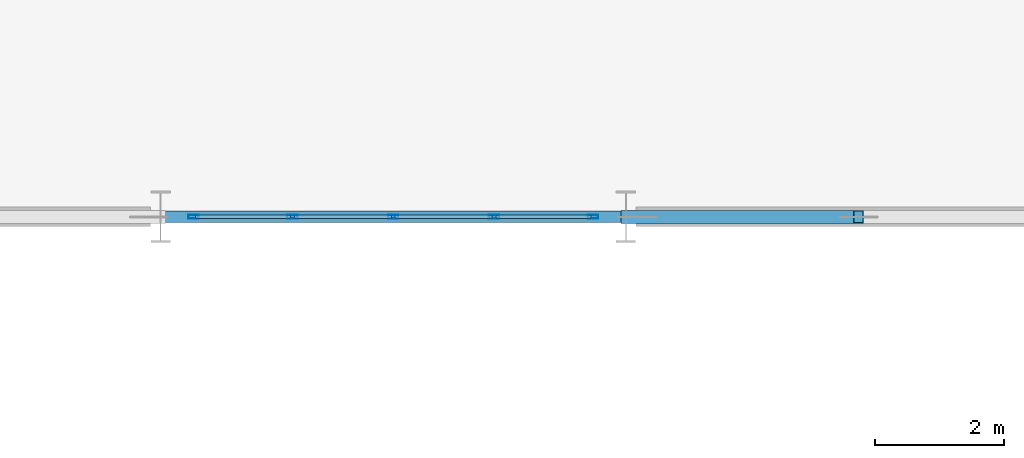
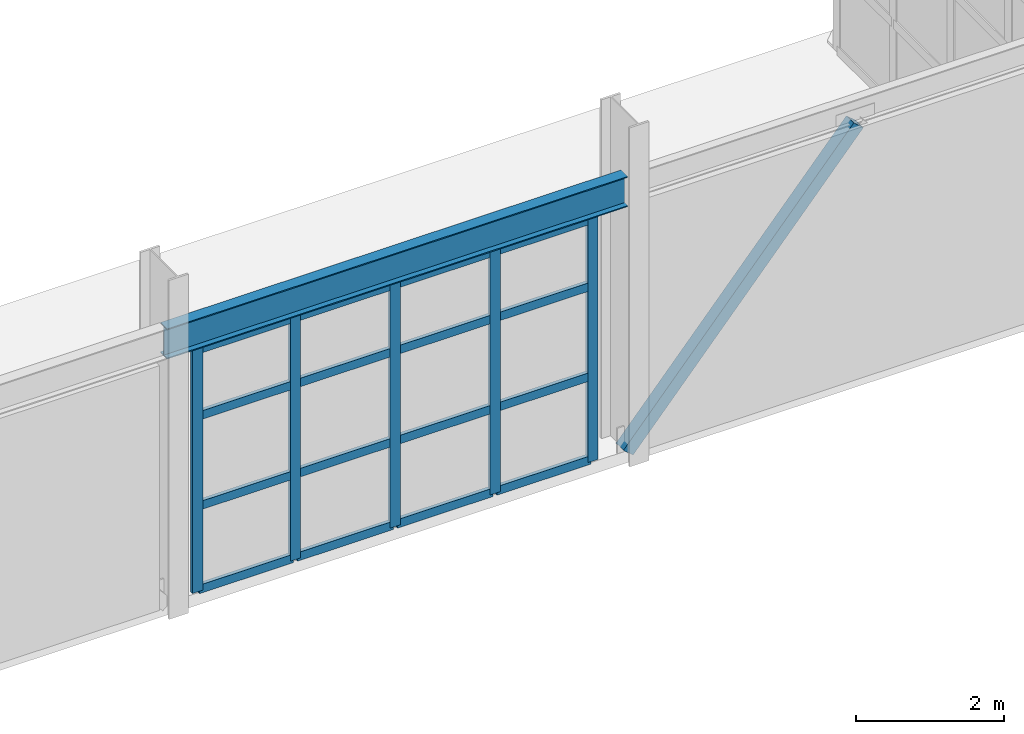
# One storey, part 54 of 126: 22 members, 1 beam, 1 element without a shape of its own.
"""IFC4 building model written with IfcOpenShell, lengths in metres."""

import ifcopenshell
import ifcopenshell.guid

model = None  # the IFC model being written
_history = None  # IfcOwnerHistory: only IFC2X3 demands one
_inside = {}  # id of a spatial element -> (the spatial element, [elements in it])
_under = {}  # id of a project, library or spatial element -> (it, [spatial elements below it])
_declared = {}  # id of a project -> (the project, [libraries it declares])
_typed = {}  # id of a type object -> (the type object, [elements of that type])
_made_of = {}  # id of a material, layer set ... -> (it, [elements and type objects made of it])


def new_model(schema):
    """Start an empty IFC model of exactly this schema.

    Asked for "IFC4X3", IfcOpenShell would pick the latest addendum, in which some entities
    have other attributes; the version numbers below select the first issue.
    IFC2X3 requires an IfcOwnerHistory on every rooted entity: one is made here for all.
    """
    global model, _history
    if schema == "IFC4X3":
        model = ifcopenshell.file(schema_version=(4, 3, 0, 0))
    else:
        model = ifcopenshell.file(schema=schema)
    _inside.clear()
    _under.clear()
    _declared.clear()
    _typed.clear()
    _made_of.clear()
    _history = None
    if model.schema == "IFC2X3":
        org = make("IfcOrganization", Name="unknown")
        user = make(
            "IfcPersonAndOrganization",
            ThePerson=make("IfcPerson", FamilyName="unknown"),
            TheOrganization=org,
        )
        app = make(
            "IfcApplication",
            ApplicationDeveloper=org,
            Version="unknown",
            ApplicationFullName="unknown",
            ApplicationIdentifier="unknown",
        )
        _history = make(
            "IfcOwnerHistory",
            OwningUser=user,
            OwningApplication=app,
            ChangeAction="ADDED",
            CreationDate=0,
        )
    return model


def make(cls, **values):
    """One entity of the class cls with the attributes given. An attribute that is None is left unset."""
    return model.create_entity(
        cls, **{name: value for name, value in values.items() if value is not None}
    )


def rooted(cls, **values):
    """An entity with a GlobalId (a new one), such as an element, a storey or a relation."""
    return make(cls, GlobalId=ifcopenshell.guid.new(), OwnerHistory=_history, **values)


def si_unit(unit_type, name, prefix=None):
    """IfcSIUnit, for example si_unit("LENGTHUNIT", "METRE", prefix="MILLI")."""
    return make("IfcSIUnit", UnitType=unit_type, Prefix=prefix, Name=name)


def assignment(units):
    """IfcUnitAssignment: the units of a project."""
    return None if units is None else make("IfcUnitAssignment", Units=units)


def point(xyz):
    """IfcCartesianPoint."""
    return None if xyz is None else make("IfcCartesianPoint", Coordinates=xyz)


def direction(xyz):
    """IfcDirection."""
    return None if xyz is None else make("IfcDirection", DirectionRatios=xyz)


def frame(location, z_axis=None, x_axis=None):
    """IfcAxis2Placement3D, a coordinate frame: its origin and axes. An axis left out is left unset."""
    return make(
        "IfcAxis2Placement3D",
        Location=point(location),
        Axis=direction(z_axis),
        RefDirection=direction(x_axis),
    )


def frame_2d(location, x_axis=None):
    """IfcAxis2Placement2D, a coordinate frame in the plane: its origin and x axis."""
    return make(
        "IfcAxis2Placement2D", Location=point(location), RefDirection=direction(x_axis)
    )


def origin():
    """The frame at (0, 0, 0) with its axes left unset."""
    return frame((0.0, 0.0, 0.0))


def origin_2d():
    """The frame at (0, 0) in the plane with its x axis left unset."""
    return frame_2d((0.0, 0.0))


def place(relative_to, where):
    """IfcLocalPlacement: puts the frame where relative to a parent placement (None: the world)."""
    return make(
        "IfcLocalPlacement", PlacementRelTo=relative_to, RelativePlacement=where
    )


def context(
    kind, dimensions, precision=None, world=None, true_north=None, identifier=None
):
    """IfcGeometricRepresentationContext, for example the 3D "Model" context."""
    return make(
        "IfcGeometricRepresentationContext",
        ContextIdentifier=identifier,
        ContextType=kind,
        CoordinateSpaceDimension=dimensions,
        Precision=precision,
        WorldCoordinateSystem=world,
        TrueNorth=true_north,
    )


def subcontext(parent, identifier, kind, view, scale=None):
    """IfcGeometricRepresentationSubContext, for example "Body" below "Model"."""
    return make(
        "IfcGeometricRepresentationSubContext",
        ContextIdentifier=identifier,
        ContextType=kind,
        ParentContext=parent,
        TargetScale=scale,
        TargetView=view,
    )


def project(units=None, contexts=None):
    """IfcProject with its units and contexts."""
    return rooted(
        "IfcProject",
        Name="project",
        RepresentationContexts=contexts,
        UnitsInContext=assignment(units),
    )


def spatial(cls, under=None, at=None, **own):
    """A site, building, storey or space (cls), placed at a placement, below another one or the project."""
    s = rooted(cls, ObjectPlacement=at, **own)
    if under is not None:
        _under.setdefault(under.id(), (under, []))[1].append(s)
    return s


def profile(cls, at=None, kind="AREA", **sizes):
    """A parametric profile (cls). Its sizes go by their IFC names, for example OverallWidth=200.0."""
    return make(cls, ProfileType=kind, Position=at, **sizes)


def hollow_rectangle(**sizes):
    """IfcRectangleHollowProfileDef."""
    return profile("IfcRectangleHollowProfileDef", **sizes)


def i_section(**sizes):
    """IfcIShapeProfileDef."""
    return profile("IfcIShapeProfileDef", **sizes)


def extrude(swept, where, along, depth):
    """IfcExtrudedAreaSolid: the profile swept, set in the frame where, extruded along a direction by depth."""
    return make(
        "IfcExtrudedAreaSolid",
        SweptArea=swept,
        Position=where,
        ExtrudedDirection=direction(along),
        Depth=depth,
    )


def shape(context_of_items, identifier, shape_type, items):
    """IfcShapeRepresentation: the items that make up one representation, for example the "Body"."""
    return make(
        "IfcShapeRepresentation",
        ContextOfItems=context_of_items,
        RepresentationIdentifier=identifier,
        RepresentationType=shape_type,
        Items=items,
    )


def material(Name=None, Category=None):
    """IfcMaterial."""
    return make("IfcMaterial", Name=Name, Category=Category)


def layer(
    of_material, thickness, ventilated=None, Name=None, Category=None, Priority=None
):
    """IfcMaterialLayer: one layer of a wall or slab, of a material (None: an air gap)."""
    return make(
        "IfcMaterialLayer",
        Material=of_material,
        LayerThickness=thickness,
        IsVentilated=ventilated,
        Name=Name,
        Category=Category,
        Priority=Priority,
    )


def layer_set(layers, Name=None):
    """IfcMaterialLayerSet."""
    return make("IfcMaterialLayerSet", MaterialLayers=layers, LayerSetName=Name)


def material_profile(
    of_material, cross_section, Name=None, Category=None, Priority=None
):
    """IfcMaterialProfile: a cross section and its material."""
    return make(
        "IfcMaterialProfile",
        Name=Name,
        Material=of_material,
        Profile=cross_section,
        Priority=Priority,
        Category=Category,
    )


def profile_set(profiles, Name=None, composite=None):
    """IfcMaterialProfileSet."""
    return make(
        "IfcMaterialProfileSet",
        Name=Name,
        MaterialProfiles=profiles,
        CompositeProfile=composite,
    )


def made_of(thing, what):
    """Note that an element or type object is made of a material, layer set ...; save() writes the relation."""
    if what is not None:
        _made_of.setdefault(what.id(), (what, []))[1].append(thing)
    return thing


def type_object(cls, material=None, **own):
    """A type object (cls), such as IfcWallType, which elements share."""
    return made_of(rooted(cls, **own), material)


def element(
    cls,
    number,
    at=None,
    inside=None,
    cuts=None,
    type_object=None,
    material=None,
    context=None,
    identifier="Body",
    shape_type=None,
    held_by="IfcProductDefinitionShape",
    body=None,
    shapes=None,
    **own,
):
    """One element of the class cls, such as IfcWall. Its Tag is "e" and its number.

    at: its placement. inside: the storey or other place that contains it. cuts: it is an
    opening in that element (IfcRelVoidsElement). A single representation is given by context,
    identifier, shape_type and body (its items); several are given by shapes. held_by: the class
    of the entity that holds the representations. save() writes the other relations.
    """
    e = rooted(cls, Tag="e%d" % number, ObjectPlacement=at, **own)
    if body is not None:
        shapes = [shape(context, identifier, shape_type, body)]
    if shapes is not None:
        e.Representation = make(held_by, Representations=shapes)
    if inside is not None:
        _inside.setdefault(inside.id(), (inside, []))[1].append(e)
    if cuts is not None:
        rooted(
            "IfcRelVoidsElement", RelatingBuildingElement=cuts, RelatedOpeningElement=e
        )
    if type_object is not None:
        _typed.setdefault(type_object.id(), (type_object, []))[1].append(e)
    return made_of(e, material)


def aggregate(whole, parts):
    """IfcRelAggregates: a whole, such as a stair, and the parts it consists of."""
    return rooted("IfcRelAggregates", RelatingObject=whole, RelatedObjects=parts)


def save(model, path):
    """Write the relations noted so far, then the file.

    IfcRelAggregates (storeys below a building ...), IfcRelContainedInSpatialStructure (elements
    in a storey), IfcRelDefinesByType, IfcRelAssociatesMaterial and IfcRelDeclares: one each for
    every whole, place, type object, material and project.
    """
    for whole, parts in _under.values():
        aggregate(whole, parts)
    for where, things in _inside.values():
        rooted(
            "IfcRelContainedInSpatialStructure",
            RelatedElements=things,
            RelatingStructure=where,
        )
    for kind, things in _typed.values():
        rooted("IfcRelDefinesByType", RelatedObjects=things, RelatingType=kind)
    for what, things in _made_of.values():
        rooted("IfcRelAssociatesMaterial", RelatedObjects=things, RelatingMaterial=what)
    for by, libraries in _declared.values():
        rooted("IfcRelDeclares", RelatingContext=by, RelatedDefinitions=libraries)
    model.write(path)


model = new_model("IFC4")

# Units and contexts
model_context = context("Model", 3, precision=1e-05, world=origin(), true_north=direction((0.0, 1.0)))
body_context = subcontext(model_context, "Body", "Model", "MODEL_VIEW")
ifc_project = project(units=[si_unit("LENGTHUNIT", "METRE"), si_unit("AREAUNIT", "SQUARE_METRE"), si_unit("VOLUMEUNIT", "CUBIC_METRE"), si_unit("PLANEANGLEUNIT", "RADIAN"), si_unit("MASSUNIT", "GRAM", prefix="KILO")], contexts=[model_context])

# Site, building, storey
site_placement = place(None, origin())
site = spatial("IfcSite", under=ifc_project, at=site_placement, CompositionType="ELEMENT")
building_placement = place(site_placement, origin())
building = spatial("IfcBuilding", under=site, at=building_placement, Name="Solvadek Multi-Sports Hall", CompositionType="ELEMENT")
storey_placement = place(building_placement, frame((0.0, 0.0, 9.60009765625)))
storey = spatial("IfcBuildingStorey", under=building, at=storey_placement, Name="L02", CompositionType="ELEMENT", Elevation=9.60009765625)

# Curtain wall, members
ifc_material_1 = material(Name="Anodised aluminium", Category="aluminium")
ifc_layer = layer(ifc_material_1, 0.159912109375, Name="Anodised aluminium")
ifc_layer_set = layer_set([ifc_layer], Name="Anodised aluminium")
curtain_wall_type = type_object("IfcCurtainWallType", Name="ENV-CW-624X403", PredefinedType="USERDEFINED", material=ifc_layer_set)
curtain_wall_placement = place(storey_placement, origin())
curtain_wall = element("IfcCurtainWall", 1, at=curtain_wall_placement, inside=storey, type_object=curtain_wall_type, Name="L02 Perimeter Bay Curtain Wall #127", ObjectType="CURTAIN WALL", PredefinedType="USERDEFINED")
ifc_material_profile_1 = material_profile(ifc_material_1, hollow_rectangle(XDim=0.06005859375, YDim=0.159912109375, WallThickness=0.00390625, at=origin_2d()), Name="ALU-M 160x60x4")
ifc_profile_set_1 = profile_set([ifc_material_profile_1], Name="Anodised aluminium")
member_type_1 = type_object("IfcMemberType", Name="ENV-CWM-01", PredefinedType="MULLION", material=ifc_profile_set_1)
member_1_placement = place(storey_placement, frame((115.7099609375, 42.0, 0.0), z_axis=(0.0, 0.0, 1.0), x_axis=(0.0, 1.0, 0.0)))
member_1 = element("IfcMember", 2, at=member_1_placement, type_object=member_type_1, Name="CW-43 mullion 1", PredefinedType="MULLION", context=body_context, shape_type="SweptSolid", body=[
    extrude(hollow_rectangle(XDim=0.06005859375, YDim=0.159912109375, WallThickness=0.00390625, at=origin_2d()), origin(), (0.0, 0.0, 1.0), 4.02490234375),
])
member_2_placement = place(storey_placement, frame((117.239990234375, 42.0, 0.0), z_axis=(0.0, 0.0, 1.0), x_axis=(0.0, 1.0, 0.0)))
member_2 = element("IfcMember", 3, at=member_2_placement, type_object=member_type_1, Name="CW-43 mullion 2", PredefinedType="MULLION", context=body_context, shape_type="SweptSolid", body=[
    extrude(hollow_rectangle(XDim=0.06005859375, YDim=0.159912109375, WallThickness=0.00390625, at=origin_2d()), origin(), (0.0, 0.0, 1.0), 4.02490234375),
])
member_3_placement = place(storey_placement, frame((118.800048828125, 42.0, 0.0), z_axis=(0.0, 0.0, 1.0), x_axis=(0.0, 1.0, 0.0)))
member_3 = element("IfcMember", 4, at=member_3_placement, type_object=member_type_1, Name="CW-43 mullion 3", PredefinedType="MULLION", context=body_context, shape_type="SweptSolid", body=[
    extrude(hollow_rectangle(XDim=0.06005859375, YDim=0.159912109375, WallThickness=0.00390625, at=origin_2d()), origin(), (0.0, 0.0, 1.0), 4.02490234375),
])
member_4_placement = place(storey_placement, frame((120.360107421875, 42.0, 0.0), z_axis=(0.0, 0.0, 1.0), x_axis=(0.0, 1.0, 0.0)))
member_4 = element("IfcMember", 5, at=member_4_placement, type_object=member_type_1, Name="CW-43 mullion 4", PredefinedType="MULLION", context=body_context, shape_type="SweptSolid", body=[
    extrude(hollow_rectangle(XDim=0.06005859375, YDim=0.159912109375, WallThickness=0.00390625, at=origin_2d()), origin(), (0.0, 0.0, 1.0), 4.02490234375),
])
member_5_placement = place(storey_placement, frame((121.889892578125, 42.0, 0.0), z_axis=(0.0, 0.0, 1.0), x_axis=(0.0, 1.0, 0.0)))
member_5 = element("IfcMember", 6, at=member_5_placement, type_object=member_type_1, Name="CW-43 mullion 5", PredefinedType="MULLION", context=body_context, shape_type="SweptSolid", body=[
    extrude(hollow_rectangle(XDim=0.06005859375, YDim=0.159912109375, WallThickness=0.00390625, at=origin_2d()), origin(), (0.0, 0.0, 1.0), 4.02490234375),
])
ifc_material_profile_2 = material_profile(ifc_material_1, hollow_rectangle(XDim=0.06005859375, YDim=0.139892578125, WallThickness=0.00390625, at=origin_2d()), Name="ALU-T 140x60x4")
ifc_profile_set_2 = profile_set([ifc_material_profile_2], Name="Anodised aluminium")
member_type_2 = type_object("IfcMemberType", Name="ENV-CWT-02", PredefinedType="USERDEFINED", material=ifc_profile_set_2)
member_6_placement = place(storey_placement, frame((115.739990234375, 42.0, 0.02978515625), z_axis=(1.0, 0.0, 0.0), x_axis=(0.0, 1.0, 0.0)))
member_6 = element("IfcMember", 7, at=member_6_placement, type_object=member_type_2, Name="CW-43 transom 1.1", ObjectType="TRANSOM", PredefinedType="USERDEFINED", context=body_context, shape_type="SweptSolid", body=[
    extrude(hollow_rectangle(XDim=0.06005859375, YDim=0.139892578125, WallThickness=0.00390625, at=origin_2d()), origin(), (0.0, 0.0, 1.0), 1.469970703125),
])
member_7_placement = place(storey_placement, frame((115.739990234375, 42.0, 1.408935546875), z_axis=(1.0, 0.0, 0.0), x_axis=(0.0, 1.0, 0.0)))
member_7 = element("IfcMember", 8, at=member_7_placement, type_object=member_type_2, Name="CW-43 transom 1.2", ObjectType="TRANSOM", PredefinedType="USERDEFINED", context=body_context, shape_type="SweptSolid", body=[
    extrude(hollow_rectangle(XDim=0.06005859375, YDim=0.139892578125, WallThickness=0.00390625, at=origin_2d()), origin(), (0.0, 0.0, 1.0), 1.469970703125),
])
member_8_placement = place(storey_placement, frame((115.739990234375, 42.0, 2.89794921875), z_axis=(1.0, 0.0, 0.0), x_axis=(0.0, 1.0, 0.0)))
member_8 = element("IfcMember", 9, at=member_8_placement, type_object=member_type_2, Name="CW-43 transom 1.3", ObjectType="TRANSOM", PredefinedType="USERDEFINED", context=body_context, shape_type="SweptSolid", body=[
    extrude(hollow_rectangle(XDim=0.06005859375, YDim=0.139892578125, WallThickness=0.00390625, at=origin_2d()), origin(), (0.0, 0.0, 1.0), 1.469970703125),
])
member_9_placement = place(storey_placement, frame((115.739990234375, 42.0, 3.994873046875), z_axis=(1.0, 0.0, 0.0), x_axis=(0.0, 1.0, 0.0)))
member_9 = element("IfcMember", 10, at=member_9_placement, type_object=member_type_2, Name="CW-43 transom 1.4", ObjectType="TRANSOM", PredefinedType="USERDEFINED", context=body_context, shape_type="SweptSolid", body=[
    extrude(hollow_rectangle(XDim=0.06005859375, YDim=0.139892578125, WallThickness=0.00390625, at=origin_2d()), origin(), (0.0, 0.0, 1.0), 1.469970703125),
])
member_10_placement = place(storey_placement, frame((117.27001953125, 42.0, 0.02978515625), z_axis=(1.0, 0.0, 0.0), x_axis=(0.0, 1.0, 0.0)))
member_10 = element("IfcMember", 11, at=member_10_placement, type_object=member_type_2, Name="CW-43 transom 2.1", ObjectType="TRANSOM", PredefinedType="USERDEFINED", context=body_context, shape_type="SweptSolid", body=[
    extrude(hollow_rectangle(XDim=0.06005859375, YDim=0.139892578125, WallThickness=0.00390625, at=origin_2d()), origin(), (0.0, 0.0, 1.0), 1.5),
])
member_11_placement = place(storey_placement, frame((117.27001953125, 42.0, 1.408935546875), z_axis=(1.0, 0.0, 0.0), x_axis=(0.0, 1.0, 0.0)))
member_11 = element("IfcMember", 12, at=member_11_placement, type_object=member_type_2, Name="CW-43 transom 2.2", ObjectType="TRANSOM", PredefinedType="USERDEFINED", context=body_context, shape_type="SweptSolid", body=[
    extrude(hollow_rectangle(XDim=0.06005859375, YDim=0.139892578125, WallThickness=0.00390625, at=origin_2d()), origin(), (0.0, 0.0, 1.0), 1.5),
])
member_12_placement = place(storey_placement, frame((117.27001953125, 42.0, 2.89794921875), z_axis=(1.0, 0.0, 0.0), x_axis=(0.0, 1.0, 0.0)))
member_12 = element("IfcMember", 13, at=member_12_placement, type_object=member_type_2, Name="CW-43 transom 2.3", ObjectType="TRANSOM", PredefinedType="USERDEFINED", context=body_context, shape_type="SweptSolid", body=[
    extrude(hollow_rectangle(XDim=0.06005859375, YDim=0.139892578125, WallThickness=0.00390625, at=origin_2d()), origin(), (0.0, 0.0, 1.0), 1.5),
])
member_13_placement = place(storey_placement, frame((117.27001953125, 42.0, 3.994873046875), z_axis=(1.0, 0.0, 0.0), x_axis=(0.0, 1.0, 0.0)))
member_13 = element("IfcMember", 14, at=member_13_placement, type_object=member_type_2, Name="CW-43 transom 2.4", ObjectType="TRANSOM", PredefinedType="USERDEFINED", context=body_context, shape_type="SweptSolid", body=[
    extrude(hollow_rectangle(XDim=0.06005859375, YDim=0.139892578125, WallThickness=0.00390625, at=origin_2d()), origin(), (0.0, 0.0, 1.0), 1.5),
])
member_14_placement = place(storey_placement, frame((118.830078125, 42.0, 0.02978515625), z_axis=(1.0, 0.0, 0.0), x_axis=(0.0, 1.0, 0.0)))
member_14 = element("IfcMember", 15, at=member_14_placement, type_object=member_type_2, Name="CW-43 transom 3.1", ObjectType="TRANSOM", PredefinedType="USERDEFINED", context=body_context, shape_type="SweptSolid", body=[
    extrude(hollow_rectangle(XDim=0.06005859375, YDim=0.139892578125, WallThickness=0.00390625, at=origin_2d()), origin(), (0.0, 0.0, 1.0), 1.5),
])
member_15_placement = place(storey_placement, frame((118.830078125, 42.0, 1.408935546875), z_axis=(1.0, 0.0, 0.0), x_axis=(0.0, 1.0, 0.0)))
member_15 = element("IfcMember", 16, at=member_15_placement, type_object=member_type_2, Name="CW-43 transom 3.2", ObjectType="TRANSOM", PredefinedType="USERDEFINED", context=body_context, shape_type="SweptSolid", body=[
    extrude(hollow_rectangle(XDim=0.06005859375, YDim=0.139892578125, WallThickness=0.00390625, at=origin_2d()), origin(), (0.0, 0.0, 1.0), 1.5),
])
member_16_placement = place(storey_placement, frame((118.830078125, 42.0, 2.89794921875), z_axis=(1.0, 0.0, 0.0), x_axis=(0.0, 1.0, 0.0)))
member_16 = element("IfcMember", 17, at=member_16_placement, type_object=member_type_2, Name="CW-43 transom 3.3", ObjectType="TRANSOM", PredefinedType="USERDEFINED", context=body_context, shape_type="SweptSolid", body=[
    extrude(hollow_rectangle(XDim=0.06005859375, YDim=0.139892578125, WallThickness=0.00390625, at=origin_2d()), origin(), (0.0, 0.0, 1.0), 1.5),
])
member_17_placement = place(storey_placement, frame((118.830078125, 42.0, 3.994873046875), z_axis=(1.0, 0.0, 0.0), x_axis=(0.0, 1.0, 0.0)))
member_17 = element("IfcMember", 18, at=member_17_placement, type_object=member_type_2, Name="CW-43 transom 3.4", ObjectType="TRANSOM", PredefinedType="USERDEFINED", context=body_context, shape_type="SweptSolid", body=[
    extrude(hollow_rectangle(XDim=0.06005859375, YDim=0.139892578125, WallThickness=0.00390625, at=origin_2d()), origin(), (0.0, 0.0, 1.0), 1.5),
])
member_18_placement = place(storey_placement, frame((120.389892578125, 42.0, 0.02978515625), z_axis=(1.0, 0.0, 0.0), x_axis=(0.0, 1.0, 0.0)))
member_18 = element("IfcMember", 19, at=member_18_placement, type_object=member_type_2, Name="CW-43 transom 4.1", ObjectType="TRANSOM", PredefinedType="USERDEFINED", context=body_context, shape_type="SweptSolid", body=[
    extrude(hollow_rectangle(XDim=0.06005859375, YDim=0.139892578125, WallThickness=0.00390625, at=origin_2d()), origin(), (0.0, 0.0, 1.0), 1.47021484375),
])
member_19_placement = place(storey_placement, frame((120.389892578125, 42.0, 1.408935546875), z_axis=(1.0, 0.0, 0.0), x_axis=(0.0, 1.0, 0.0)))
member_19 = element("IfcMember", 20, at=member_19_placement, type_object=member_type_2, Name="CW-43 transom 4.2", ObjectType="TRANSOM", PredefinedType="USERDEFINED", context=body_context, shape_type="SweptSolid", body=[
    extrude(hollow_rectangle(XDim=0.06005859375, YDim=0.139892578125, WallThickness=0.00390625, at=origin_2d()), origin(), (0.0, 0.0, 1.0), 1.47021484375),
])
member_20_placement = place(storey_placement, frame((120.389892578125, 42.0, 2.89794921875), z_axis=(1.0, 0.0, 0.0), x_axis=(0.0, 1.0, 0.0)))
member_20 = element("IfcMember", 21, at=member_20_placement, type_object=member_type_2, Name="CW-43 transom 4.3", ObjectType="TRANSOM", PredefinedType="USERDEFINED", context=body_context, shape_type="SweptSolid", body=[
    extrude(hollow_rectangle(XDim=0.06005859375, YDim=0.139892578125, WallThickness=0.00390625, at=origin_2d()), origin(), (0.0, 0.0, 1.0), 1.47021484375),
])
member_21_placement = place(storey_placement, frame((120.389892578125, 42.0, 3.994873046875), z_axis=(1.0, 0.0, 0.0), x_axis=(0.0, 1.0, 0.0)))
member_21 = element("IfcMember", 22, at=member_21_placement, type_object=member_type_2, Name="CW-43 transom 4.4", ObjectType="TRANSOM", PredefinedType="USERDEFINED", context=body_context, shape_type="SweptSolid", body=[
    extrude(hollow_rectangle(XDim=0.06005859375, YDim=0.139892578125, WallThickness=0.00390625, at=origin_2d()), origin(), (0.0, 0.0, 1.0), 1.47021484375),
])
aggregate(curtain_wall, [member_1, member_2, member_3, member_4, member_5, member_6, member_7, member_8, member_9, member_10, member_11, member_12, member_13, member_14, member_15, member_16, member_17, member_18, member_19, member_20, member_21])

# Beam
ifc_material_2 = material(Name="Steel E350 (350 MPa)", Category="steel")
ifc_material_profile_3 = material_profile(ifc_material_2, i_section(OverallWidth=0.179931640625, OverallDepth=0.5, WebThickness=0.01025390625, FlangeThickness=0.01708984375, at=origin_2d()), Name="ISMB 500")
ifc_profile_set_3 = profile_set([ifc_material_profile_3], Name="Steel E350 (350 MPa)")
beam_type = type_object("IfcBeamType", Name="STR-BM-ISMB500", PredefinedType="BEAM", material=ifc_profile_set_3)
beam_placement = place(storey_placement, frame((115.199951171875, 42.0, 4.309814453125), z_axis=(1.0, 0.0, 0.0), x_axis=(0.0, 1.0, 0.0)))
element("IfcBeam", 23, at=beam_placement, inside=storey, type_object=beam_type, Name="L02 Girder B-07 #1358", PredefinedType="BEAM", context=body_context, shape_type="SweptSolid", body=[
    extrude(i_section(OverallWidth=0.179931640625, OverallDepth=0.5, WebThickness=0.01025390625, FlangeThickness=0.01708984375, at=origin_2d()), origin(), (0.0, 0.0, 1.0), 7.199951171875),
])

# Member
ifc_material_profile_4 = material_profile(ifc_material_2, hollow_rectangle(XDim=0.199951171875, YDim=0.199951171875, WallThickness=0.010009765625, at=origin_2d()), Name="SHS 200x200x10")
ifc_profile_set_4 = profile_set([ifc_material_profile_4], Name="Steel E350 (350 MPa)")
member_type_3 = type_object("IfcMemberType", Name="STR-BRC-SHS200", PredefinedType="BRACE", material=ifc_profile_set_4)
member_22_placement = place(storey_placement, frame((122.39990234375, 42.0, 0.0), z_axis=(0.655295898412, 0.0, 0.755372282735), x_axis=(0.0, 1.0, 0.0)))
element("IfcMember", 24, at=member_22_placement, inside=storey, type_object=member_type_3, Name="L02 Concentric Chevron Brace #41", PredefinedType="BRACE", context=body_context, shape_type="SweptSolid", body=[
    extrude(hollow_rectangle(XDim=0.199951171875, YDim=0.199951171875, WallThickness=0.010009765625, at=origin_2d()), origin(), (0.0, 0.0, 1.0), 5.493896484375),
])

save(model, "model.ifc")
